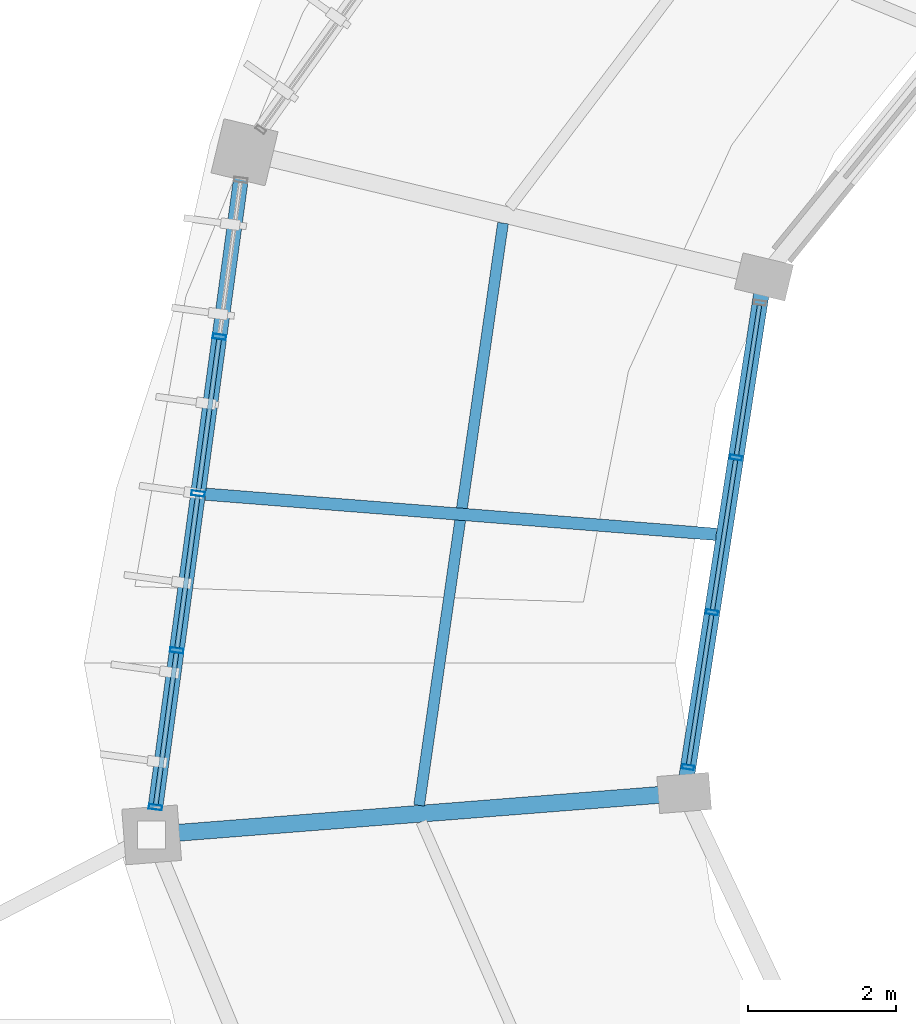
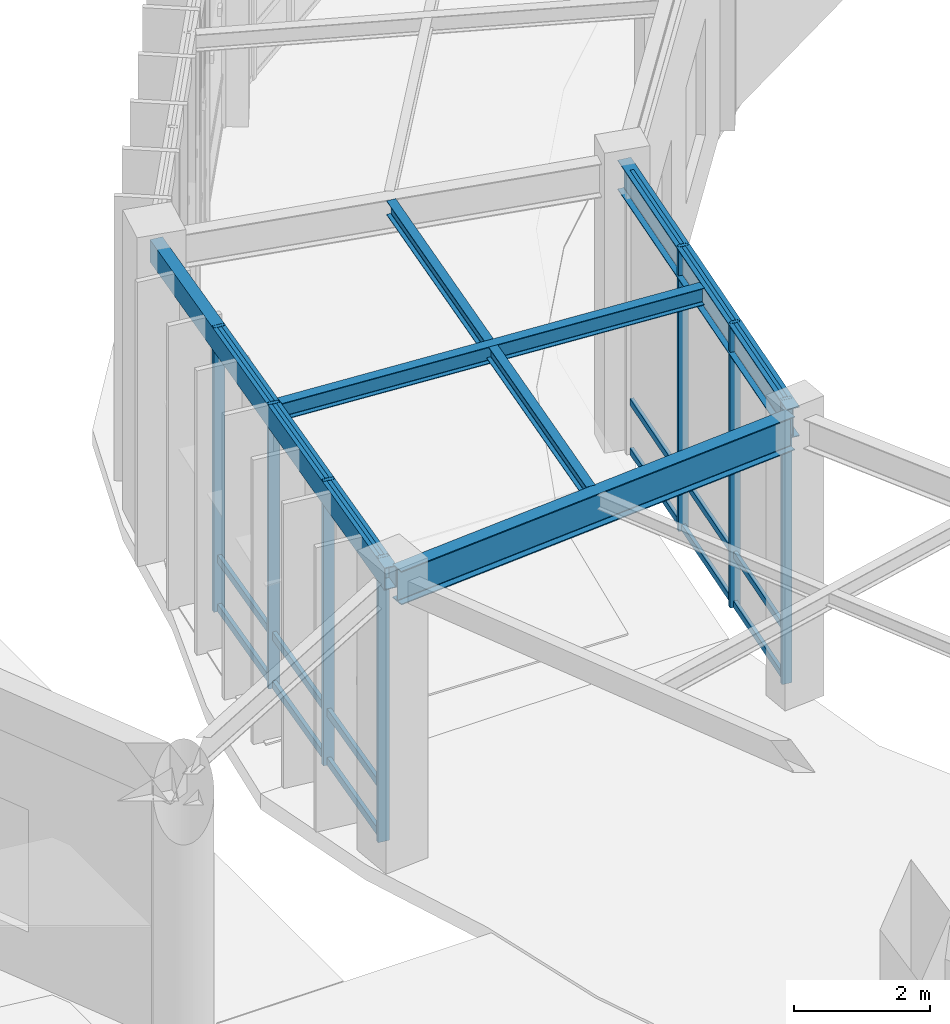
# One storey, part 47 of 157: 25 members, 5 beams, 2 elements without a shape of their own.
"""IFC4 building model written with IfcOpenShell, lengths in metres."""

from ifc_helpers import new_model, si_unit, direction, frame, origin, origin_2d, place, context, subcontext, project, spatial, hollow_rectangle, i_section, extrude, material, material_profile, profile_set, type_object, element, aggregate, save


model = new_model("IFC4")

# Units and contexts
model_context = context("Model", 3, precision=1e-05, world=origin(), true_north=direction((0.0, 1.0)))
body_context = subcontext(model_context, "Body", "Model", "MODEL_VIEW")
ifc_project = project(units=[si_unit("LENGTHUNIT", "METRE"), si_unit("AREAUNIT", "SQUARE_METRE"), si_unit("VOLUMEUNIT", "CUBIC_METRE"), si_unit("PLANEANGLEUNIT", "RADIAN"), si_unit("MASSUNIT", "GRAM", prefix="KILO"), si_unit("THERMODYNAMICTEMPERATUREUNIT", "KELVIN"), si_unit("POWERUNIT", "WATT")], contexts=[model_context])

# Site, building, storey
site_placement = place(None, origin())
site = spatial("IfcSite", under=ifc_project, at=site_placement, CompositionType="ELEMENT")
building_placement = place(site_placement, origin())
building = spatial("IfcBuilding", under=site, at=building_placement, Name="Darbajah Civic Hall", CompositionType="ELEMENT")
storey_placement = place(building_placement, origin())
storey = spatial("IfcBuildingStorey", under=building, at=storey_placement, Name="L00", CompositionType="ELEMENT", Elevation=0.0)

# Curtain wall, members
ifc_material_1 = material(Name="Anodised Bronze Aluminium and Low-E Glazing", Category="aluminium")
curtain_wall_type_1 = type_object("IfcCurtainWallType", Name="Unitised Curtain Wall CW-11 6300x5100", PredefinedType="USERDEFINED", material=ifc_material_1)
curtain_wall_1_placement = place(storey_placement, origin())
curtain_wall_1 = element("IfcCurtainWall", 1, at=curtain_wall_1_placement, inside=storey, type_object=curtain_wall_type_1, Name="L00 unitised curtain wall CW-V1I-L00-09", ObjectType="UNITISED CURTAIN WALL", PredefinedType="USERDEFINED")
ifc_material_2 = material(Name="Anodised Bronze Aluminium", Category="aluminium")
ifc_material_profile_1 = material_profile(ifc_material_2, hollow_rectangle(XDim=0.06005859375, YDim=0.159912109375, WallThickness=0.00341796875, at=origin_2d()), Name="ALU MULLION 60x160")
ifc_profile_set_1 = profile_set([ifc_material_profile_1], Name="Anodised Bronze Aluminium")
member_type_1 = type_object("IfcMemberType", Name="ALU MULLION 60x160", PredefinedType="MULLION", material=ifc_profile_set_1)
member_1_placement = place(storey_placement, frame((46.1337890625, 92.5712890625, 0.0), z_axis=(0.0, 0.0, 1.0), x_axis=(-0.152813355565, -0.98825506746, 0.0)))
member_1 = element("IfcMember", 2, at=member_1_placement, type_object=member_type_1, Name="CW-V1I-L00-09 mullion 2", PredefinedType="MULLION", context=body_context, shape_type="SweptSolid", body=[
    extrude(hollow_rectangle(XDim=0.06005859375, YDim=0.159912109375, WallThickness=0.00341796875, at=origin_2d()), origin(), (0.0, 0.0, 1.0), 5.1201171875),
])
member_2_placement = place(storey_placement, frame((45.811279296875, 90.48486328125, 0.0), z_axis=(0.0, 0.0, 1.0), x_axis=(-0.152813355565, -0.98825506746, 0.0)))
member_2 = element("IfcMember", 3, at=member_2_placement, type_object=member_type_1, Name="CW-V1I-L00-09 mullion 3", PredefinedType="MULLION", context=body_context, shape_type="SweptSolid", body=[
    extrude(hollow_rectangle(XDim=0.06005859375, YDim=0.159912109375, WallThickness=0.00341796875, at=origin_2d()), origin(), (0.0, 0.0, 1.0), 5.1201171875),
])
member_3_placement = place(storey_placement, frame((45.48876953125, 88.398193359375, 0.0), z_axis=(0.0, 0.0, 1.0), x_axis=(-0.152813355565, -0.98825506746, 0.0)))
member_3 = element("IfcMember", 4, at=member_3_placement, type_object=member_type_1, Name="CW-V1I-L00-09 mullion 4", PredefinedType="MULLION", context=body_context, shape_type="SweptSolid", body=[
    extrude(hollow_rectangle(XDim=0.06005859375, YDim=0.159912109375, WallThickness=0.00341796875, at=origin_2d()), origin(), (0.0, 0.0, 1.0), 5.1201171875),
])

curtain_wall_type_2 = type_object("IfcCurtainWallType", Name="Unitised Curtain Wall CW-10 8500x5100", PredefinedType="USERDEFINED", material=ifc_material_1)
curtain_wall_2_placement = place(storey_placement, origin())
curtain_wall_2 = element("IfcCurtainWall", 5, at=curtain_wall_2_placement, inside=storey, type_object=curtain_wall_type_2, Name="L00 unitised curtain wall CW-V1O-L00-09", ObjectType="UNITISED CURTAIN WALL", PredefinedType="USERDEFINED")
ifc_material_profile_2 = material_profile(ifc_material_2, hollow_rectangle(XDim=0.06494140625, YDim=0.179931640625, WallThickness=0.00390625, at=origin_2d()), Name="ALU MULLION 65x180")
ifc_profile_set_2 = profile_set([ifc_material_profile_2], Name="Anodised Bronze Aluminium")
member_type_2 = type_object("IfcMemberType", Name="ALU MULLION 65x180", PredefinedType="MULLION", material=ifc_profile_set_2)
member_4_placement = place(storey_placement, frame((39.170654296875, 94.199462890625, 0.0), z_axis=(0.0, 0.0, 1.0), x_axis=(-0.134850930274, -0.990865897387, 0.0)))
member_4 = element("IfcMember", 6, at=member_4_placement, type_object=member_type_2, Name="CW-V1O-L00-09 mullion 2", PredefinedType="MULLION", context=body_context, shape_type="SweptSolid", body=[
    extrude(hollow_rectangle(XDim=0.06494140625, YDim=0.179931640625, WallThickness=0.00390625, at=origin_2d()), origin(), (0.0, 0.0, 1.0), 5.1201171875),
])
member_5_placement = place(storey_placement, frame((38.88330078125, 92.086181640625, 0.0), z_axis=(0.0, 0.0, 1.0), x_axis=(-0.134850930274, -0.990865897387, 0.0)))
member_5 = element("IfcMember", 7, at=member_5_placement, type_object=member_type_2, Name="CW-V1O-L00-09 mullion 3", PredefinedType="MULLION", context=body_context, shape_type="SweptSolid", body=[
    extrude(hollow_rectangle(XDim=0.06494140625, YDim=0.179931640625, WallThickness=0.00390625, at=origin_2d()), origin(), (0.0, 0.0, 1.0), 5.1201171875),
])
member_6_placement = place(storey_placement, frame((38.595703125, 89.97265625, 0.0), z_axis=(0.0, 0.0, 1.0), x_axis=(-0.134850930274, -0.990865897387, 0.0)))
member_6 = element("IfcMember", 8, at=member_6_placement, type_object=member_type_2, Name="CW-V1O-L00-09 mullion 4", PredefinedType="MULLION", context=body_context, shape_type="SweptSolid", body=[
    extrude(hollow_rectangle(XDim=0.06494140625, YDim=0.179931640625, WallThickness=0.00390625, at=origin_2d()), origin(), (0.0, 0.0, 1.0), 5.1201171875),
])
member_7_placement = place(storey_placement, frame((38.30810546875, 87.859130859375, 0.0), z_axis=(0.0, 0.0, 1.0), x_axis=(-0.134850930274, -0.990865897387, 0.0)))
member_7 = element("IfcMember", 9, at=member_7_placement, type_object=member_type_2, Name="CW-V1O-L00-09 mullion 5", PredefinedType="MULLION", context=body_context, shape_type="SweptSolid", body=[
    extrude(hollow_rectangle(XDim=0.06494140625, YDim=0.179931640625, WallThickness=0.00390625, at=origin_2d()), origin(), (0.0, 0.0, 1.0), 5.1201171875),
])

# Member
ifc_material_profile_3 = material_profile(ifc_material_2, hollow_rectangle(XDim=0.06005859375, YDim=0.1201171875, WallThickness=0.003173828125, at=origin_2d()), Name="ALU TRANSOM 60x120")
ifc_profile_set_3 = profile_set([ifc_material_profile_3], Name="Anodised Bronze Aluminium")
member_type_3 = type_object("IfcMemberType", Name="ALU TRANSOM 60x120", PredefinedType="USERDEFINED", material=ifc_profile_set_3)
member_8_placement = place(storey_placement, frame((46.451171875, 94.623291015625, 0.06005859375), z_axis=(-0.152848012423, -0.988249707867, 0.0), x_axis=(0.988249707867, -0.152848012423, 0.0)))
member_8 = element("IfcMember", 10, at=member_8_placement, type_object=member_type_3, Name="CW-V1I-L00-09 transom 1.1", ObjectType="TRANSOM", PredefinedType="USERDEFINED", context=body_context, shape_type="SweptSolid", body=[
    extrude(hollow_rectangle(XDim=0.06005859375, YDim=0.1201171875, WallThickness=0.003173828125, at=origin_2d()), origin(), (0.0, 0.0, 1.0), 2.041259765625),
])

member_9_placement = place(storey_placement, frame((46.451171875, 94.623291015625, 0.949951171875), z_axis=(-0.152848012423, -0.988249707867, 0.0), x_axis=(0.988249707867, -0.152848012423, 0.0)))
member_9 = element("IfcMember", 11, at=member_9_placement, type_object=member_type_3, Name="CW-V1I-L00-09 transom 1.2", ObjectType="TRANSOM", PredefinedType="USERDEFINED", context=body_context, shape_type="SweptSolid", body=[
    extrude(hollow_rectangle(XDim=0.06005859375, YDim=0.1201171875, WallThickness=0.003173828125, at=origin_2d()), origin(), (0.0, 0.0, 1.0), 2.041259765625),
])

member_10_placement = place(storey_placement, frame((46.451171875, 94.623291015625, 5.06005859375), z_axis=(-0.152848012423, -0.988249707867, 0.0), x_axis=(0.988249707867, -0.152848012423, 0.0)))
member_10 = element("IfcMember", 12, at=member_10_placement, type_object=member_type_3, Name="CW-V1I-L00-09 transom 1.3", ObjectType="TRANSOM", PredefinedType="USERDEFINED", context=body_context, shape_type="SweptSolid", body=[
    extrude(hollow_rectangle(XDim=0.06005859375, YDim=0.1201171875, WallThickness=0.003173828125, at=origin_2d()), origin(), (0.0, 0.0, 1.0), 2.041259765625),
])

member_11_placement = place(storey_placement, frame((46.12841796875, 92.536865234375, 0.06005859375), z_axis=(-0.152713153508, -0.98827055645, 0.0), x_axis=(0.98827055645, -0.152713153508, 0.0)))
member_11 = element("IfcMember", 13, at=member_11_placement, type_object=member_type_3, Name="CW-V1I-L00-09 transom 2.1", ObjectType="TRANSOM", PredefinedType="USERDEFINED", context=body_context, shape_type="SweptSolid", body=[
    extrude(hollow_rectangle(XDim=0.06005859375, YDim=0.1201171875, WallThickness=0.003173828125, at=origin_2d()), origin(), (0.0, 0.0, 1.0), 2.04150390625),
])

member_12_placement = place(storey_placement, frame((46.12841796875, 92.536865234375, 0.949951171875), z_axis=(-0.152713153508, -0.98827055645, 0.0), x_axis=(0.98827055645, -0.152713153508, 0.0)))
member_12 = element("IfcMember", 14, at=member_12_placement, type_object=member_type_3, Name="CW-V1I-L00-09 transom 2.2", ObjectType="TRANSOM", PredefinedType="USERDEFINED", context=body_context, shape_type="SweptSolid", body=[
    extrude(hollow_rectangle(XDim=0.06005859375, YDim=0.1201171875, WallThickness=0.003173828125, at=origin_2d()), origin(), (0.0, 0.0, 1.0), 2.04150390625),
])

member_13_placement = place(storey_placement, frame((46.12841796875, 92.536865234375, 5.06005859375), z_axis=(-0.152713153508, -0.98827055645, 0.0), x_axis=(0.98827055645, -0.152713153508, 0.0)))
member_13 = element("IfcMember", 15, at=member_13_placement, type_object=member_type_3, Name="CW-V1I-L00-09 transom 2.3", ObjectType="TRANSOM", PredefinedType="USERDEFINED", context=body_context, shape_type="SweptSolid", body=[
    extrude(hollow_rectangle(XDim=0.06005859375, YDim=0.1201171875, WallThickness=0.003173828125, at=origin_2d()), origin(), (0.0, 0.0, 1.0), 2.04150390625),
])

member_14_placement = place(storey_placement, frame((45.805908203125, 90.4501953125, 0.06005859375), z_axis=(-0.15273120398, -0.98826776702, 0.0), x_axis=(0.98826776702, -0.15273120398, 0.0)))
member_14 = element("IfcMember", 16, at=member_14_placement, type_object=member_type_3, Name="CW-V1I-L00-09 transom 3.1", ObjectType="TRANSOM", PredefinedType="USERDEFINED", context=body_context, shape_type="SweptSolid", body=[
    extrude(hollow_rectangle(XDim=0.06005859375, YDim=0.1201171875, WallThickness=0.003173828125, at=origin_2d()), origin(), (0.0, 0.0, 1.0), 2.041259765625),
])

member_15_placement = place(storey_placement, frame((45.805908203125, 90.4501953125, 0.949951171875), z_axis=(-0.15273120398, -0.98826776702, 0.0), x_axis=(0.98826776702, -0.15273120398, 0.0)))
member_15 = element("IfcMember", 17, at=member_15_placement, type_object=member_type_3, Name="CW-V1I-L00-09 transom 3.2", ObjectType="TRANSOM", PredefinedType="USERDEFINED", context=body_context, shape_type="SweptSolid", body=[
    extrude(hollow_rectangle(XDim=0.06005859375, YDim=0.1201171875, WallThickness=0.003173828125, at=origin_2d()), origin(), (0.0, 0.0, 1.0), 2.041259765625),
])

member_16_placement = place(storey_placement, frame((45.805908203125, 90.4501953125, 5.06005859375), z_axis=(-0.15273120398, -0.98826776702, 0.0), x_axis=(0.98826776702, -0.15273120398, 0.0)))
member_16 = element("IfcMember", 18, at=member_16_placement, type_object=member_type_3, Name="CW-V1I-L00-09 transom 3.3", ObjectType="TRANSOM", PredefinedType="USERDEFINED", context=body_context, shape_type="SweptSolid", body=[
    extrude(hollow_rectangle(XDim=0.06005859375, YDim=0.1201171875, WallThickness=0.003173828125, at=origin_2d()), origin(), (0.0, 0.0, 1.0), 2.041259765625),
])

aggregate(curtain_wall_1, [member_1, member_2, member_3, member_8, member_9, member_10, member_11, member_12, member_13, member_14, member_15, member_16])

ifc_material_profile_4 = material_profile(ifc_material_2, hollow_rectangle(XDim=0.06494140625, YDim=0.139892578125, WallThickness=0.00341796875, at=origin_2d()), Name="ALU TRANSOM 65x140")
ifc_profile_set_4 = profile_set([ifc_material_profile_4], Name="Anodised Bronze Aluminium")
member_type_4 = type_object("IfcMemberType", Name="ALU TRANSOM 65x140", PredefinedType="USERDEFINED", material=ifc_profile_set_4)
member_17_placement = place(storey_placement, frame((39.165771484375, 94.162353515625, 0.070068359375), z_axis=(-0.134890846246, -0.990860464243, 0.0), x_axis=(0.990860464243, -0.134890846246, 0.0)))
member_17 = element("IfcMember", 19, at=member_17_placement, type_object=member_type_4, Name="CW-V1O-L00-09 transom 2.1", ObjectType="TRANSOM", PredefinedType="USERDEFINED", context=body_context, shape_type="SweptSolid", body=[
    extrude(hollow_rectangle(XDim=0.06494140625, YDim=0.139892578125, WallThickness=0.00341796875, at=origin_2d()), origin(), (0.0, 0.0, 1.0), 2.057861328125),
])

member_18_placement = place(storey_placement, frame((39.165771484375, 94.162353515625, 0.949951171875), z_axis=(-0.134890846246, -0.990860464243, 0.0), x_axis=(0.990860464243, -0.134890846246, 0.0)))
member_18 = element("IfcMember", 20, at=member_18_placement, type_object=member_type_4, Name="CW-V1O-L00-09 transom 2.2", ObjectType="TRANSOM", PredefinedType="USERDEFINED", context=body_context, shape_type="SweptSolid", body=[
    extrude(hollow_rectangle(XDim=0.06494140625, YDim=0.139892578125, WallThickness=0.00341796875, at=origin_2d()), origin(), (0.0, 0.0, 1.0), 2.057861328125),
])

member_19_placement = place(storey_placement, frame((39.165771484375, 94.162353515625, 5.050048828125), z_axis=(-0.134890846246, -0.990860464243, 0.0), x_axis=(0.990860464243, -0.134890846246, 0.0)))
member_19 = element("IfcMember", 21, at=member_19_placement, type_object=member_type_4, Name="CW-V1O-L00-09 transom 2.3", ObjectType="TRANSOM", PredefinedType="USERDEFINED", context=body_context, shape_type="SweptSolid", body=[
    extrude(hollow_rectangle(XDim=0.06494140625, YDim=0.139892578125, WallThickness=0.00341796875, at=origin_2d()), origin(), (0.0, 0.0, 1.0), 2.057861328125),
])

member_20_placement = place(storey_placement, frame((38.878173828125, 92.048828125, 0.070068359375), z_axis=(-0.134890846246, -0.990860464243, 0.0), x_axis=(0.990860464243, -0.134890846246, 0.0)))
member_20 = element("IfcMember", 22, at=member_20_placement, type_object=member_type_4, Name="CW-V1O-L00-09 transom 3.1", ObjectType="TRANSOM", PredefinedType="USERDEFINED", context=body_context, shape_type="SweptSolid", body=[
    extrude(hollow_rectangle(XDim=0.06494140625, YDim=0.139892578125, WallThickness=0.00341796875, at=origin_2d()), origin(), (0.0, 0.0, 1.0), 2.057861328125),
])

member_21_placement = place(storey_placement, frame((38.878173828125, 92.048828125, 0.949951171875), z_axis=(-0.134890846246, -0.990860464243, 0.0), x_axis=(0.990860464243, -0.134890846246, 0.0)))
member_21 = element("IfcMember", 23, at=member_21_placement, type_object=member_type_4, Name="CW-V1O-L00-09 transom 3.2", ObjectType="TRANSOM", PredefinedType="USERDEFINED", context=body_context, shape_type="SweptSolid", body=[
    extrude(hollow_rectangle(XDim=0.06494140625, YDim=0.139892578125, WallThickness=0.00341796875, at=origin_2d()), origin(), (0.0, 0.0, 1.0), 2.057861328125),
])

member_22_placement = place(storey_placement, frame((38.878173828125, 92.048828125, 5.050048828125), z_axis=(-0.134890846246, -0.990860464243, 0.0), x_axis=(0.990860464243, -0.134890846246, 0.0)))
member_22 = element("IfcMember", 24, at=member_22_placement, type_object=member_type_4, Name="CW-V1O-L00-09 transom 3.3", ObjectType="TRANSOM", PredefinedType="USERDEFINED", context=body_context, shape_type="SweptSolid", body=[
    extrude(hollow_rectangle(XDim=0.06494140625, YDim=0.139892578125, WallThickness=0.00341796875, at=origin_2d()), origin(), (0.0, 0.0, 1.0), 2.057861328125),
])

member_23_placement = place(storey_placement, frame((38.590576171875, 89.935302734375, 0.070068359375), z_axis=(-0.134890846246, -0.990860464243, 0.0), x_axis=(0.990860464243, -0.134890846246, 0.0)))
member_23 = element("IfcMember", 25, at=member_23_placement, type_object=member_type_4, Name="CW-V1O-L00-09 transom 4.1", ObjectType="TRANSOM", PredefinedType="USERDEFINED", context=body_context, shape_type="SweptSolid", body=[
    extrude(hollow_rectangle(XDim=0.06494140625, YDim=0.139892578125, WallThickness=0.00341796875, at=origin_2d()), origin(), (0.0, 0.0, 1.0), 2.057861328125),
])

member_24_placement = place(storey_placement, frame((38.590576171875, 89.935302734375, 0.949951171875), z_axis=(-0.134890846246, -0.990860464243, 0.0), x_axis=(0.990860464243, -0.134890846246, 0.0)))
member_24 = element("IfcMember", 26, at=member_24_placement, type_object=member_type_4, Name="CW-V1O-L00-09 transom 4.2", ObjectType="TRANSOM", PredefinedType="USERDEFINED", context=body_context, shape_type="SweptSolid", body=[
    extrude(hollow_rectangle(XDim=0.06494140625, YDim=0.139892578125, WallThickness=0.00341796875, at=origin_2d()), origin(), (0.0, 0.0, 1.0), 2.057861328125),
])

member_25_placement = place(storey_placement, frame((38.590576171875, 89.935302734375, 5.050048828125), z_axis=(-0.134890846246, -0.990860464243, 0.0), x_axis=(0.990860464243, -0.134890846246, 0.0)))
member_25 = element("IfcMember", 27, at=member_25_placement, type_object=member_type_4, Name="CW-V1O-L00-09 transom 4.3", ObjectType="TRANSOM", PredefinedType="USERDEFINED", context=body_context, shape_type="SweptSolid", body=[
    extrude(hollow_rectangle(XDim=0.06494140625, YDim=0.139892578125, WallThickness=0.00341796875, at=origin_2d()), origin(), (0.0, 0.0, 1.0), 2.057861328125),
])

aggregate(curtain_wall_2, [member_4, member_5, member_6, member_7, member_17, member_18, member_19, member_20, member_21, member_22, member_23, member_24, member_25])

# Beams
ifc_material_3 = material(Name="Steel S355JR", Category="steel")
ifc_material_profile_5 = material_profile(ifc_material_3, hollow_rectangle(XDim=0.199951171875, YDim=0.39990234375, WallThickness=0.013916015625, at=origin_2d()), Name="RHS 400x200x14")
ifc_profile_set_5 = profile_set([ifc_material_profile_5], Name="Steel S355JR")
beam_type_1 = type_object("IfcBeamType", Name="RHS 400x200x14", PredefinedType="SPANDREL", material=ifc_profile_set_5)
beam_1_placement = place(storey_placement, frame((39.498291015625, 96.607421875, 4.919921875), z_axis=(-0.134804002093, -0.9908722829, 0.0), x_axis=(0.9908722829, -0.134804002093, 0.0)))
element("IfcBeam", 28, at=beam_1_placement, inside=storey, type_object=beam_type_1, Name="L00 beam SP-RHS400", PredefinedType="SPANDREL", context=body_context, shape_type="SweptSolid", body=[
    extrude(hollow_rectangle(XDim=0.199951171875, YDim=0.39990234375, WallThickness=0.013916015625, at=origin_2d()), origin(), (0.0, 0.0, 1.0), 9.1259765625),
])
ifc_material_profile_6 = material_profile(ifc_material_3, i_section(OverallWidth=0.146484375, OverallDepth=0.256103515625, WebThickness=0.00634765625, FlangeThickness=0.010986328125, FilletRadius=0.007568359375, at=origin_2d()), Name="UB 254x146x37")
ifc_profile_set_6 = profile_set([ifc_material_profile_6], Name="Steel S355JR")
beam_type_2 = type_object("IfcBeamType", Name="UB 254x146x37", PredefinedType="JOIST", material=ifc_profile_set_6)
beam_2_placement = place(storey_placement, frame((42.9931640625, 95.7314453125, 4.991943359375), z_axis=(-0.142580747671, -0.989783173424, 0.0), x_axis=(0.989783173424, -0.142580747671, 0.0)))
element("IfcBeam", 29, at=beam_2_placement, inside=storey, type_object=beam_type_2, Name="L00 beam SJ-254", PredefinedType="JOIST", context=body_context, shape_type="SweptSolid", body=[
    extrude(i_section(OverallWidth=0.146484375, OverallDepth=0.256103515625, WebThickness=0.00634765625, FlangeThickness=0.010986328125, FilletRadius=0.007568359375, at=origin_2d()), origin(), (0.0, 0.0, 1.0), 7.9296875),
])
ifc_material_profile_7 = material_profile(ifc_material_3, i_section(OverallWidth=0.165771484375, OverallDepth=0.306640625, WebThickness=0.006591796875, FlangeThickness=0.01171875, FilletRadius=0.0087890625, at=origin_2d()), Name="UB 305x165x46")
ifc_profile_set_7 = profile_set([ifc_material_profile_7], Name="Steel S355JR")
beam_type_3 = type_object("IfcBeamType", Name="UB 305x165x46", PredefinedType="JOIST", material=ifc_profile_set_7)
beam_3_placement = place(storey_placement, frame((45.866943359375, 91.536376953125, 4.966796875), z_axis=(-0.996918778661, 0.078440734012, 0.0), x_axis=(-0.078440734012, -0.996918778661, 0.0)))
element("IfcBeam", 30, at=beam_3_placement, inside=storey, type_object=beam_type_3, Name="L00 beam SJ-305", PredefinedType="JOIST", context=body_context, shape_type="SweptSolid", body=[
    extrude(i_section(OverallWidth=0.165771484375, OverallDepth=0.306640625, WebThickness=0.006591796875, FlangeThickness=0.01171875, FilletRadius=0.0087890625, at=origin_2d()), origin(), (0.0, 0.0, 1.0), 6.9033203125),
])
ifc_material_profile_8 = material_profile(ifc_material_3, i_section(OverallWidth=0.209228515625, OverallDepth=0.533203125, WebThickness=0.010009765625, FlangeThickness=0.015625, FilletRadius=0.0126953125, at=origin_2d()), Name="UB 533x210x92")
ifc_profile_set_8 = profile_set([ifc_material_profile_8], Name="Steel S355JR")
beam_type_4 = type_object("IfcBeamType", Name="UB 533x210x92", PredefinedType="BEAM", material=ifc_profile_set_8)
beam_4_placement = place(storey_placement, frame((46.498046875, 94.9267578125, 4.853515625), z_axis=(-0.152771975645, -0.988261465128, 0.0), x_axis=(0.988261465128, -0.152771975645, 0.0)))
element("IfcBeam", 31, at=beam_4_placement, inside=storey, type_object=beam_type_4, Name="L00 beam SB-533", PredefinedType="BEAM", context=body_context, shape_type="SweptSolid", body=[
    extrude(i_section(OverallWidth=0.209228515625, OverallDepth=0.533203125, WebThickness=0.010009765625, FlangeThickness=0.015625, FilletRadius=0.0126953125, at=origin_2d()), origin(), (0.0, 0.0, 1.0), 6.878173828125),
])
ifc_material_profile_9 = material_profile(ifc_material_3, i_section(OverallWidth=0.228271484375, OverallDepth=0.607666015625, WebThickness=0.010986328125, FlangeThickness=0.017333984375, FilletRadius=0.0126953125, at=origin_2d()), Name="UB 610x229x113")
ifc_profile_set_9 = profile_set([ifc_material_profile_9], Name="Steel S355JR")
beam_type_5 = type_object("IfcBeamType", Name="UB 610x229x113", PredefinedType="BEAM", material=ifc_profile_set_9)
beam_5_placement = place(storey_placement, frame((45.355224609375, 88.044189453125, 4.816162109375), z_axis=(-0.996915809033, -0.078478466478, 0.0), x_axis=(0.078478466478, -0.996915809033, 0.0)))
element("IfcBeam", 32, at=beam_5_placement, inside=storey, type_object=beam_type_5, Name="L00 beam SB-610", PredefinedType="BEAM", context=body_context, shape_type="SweptSolid", body=[
    extrude(i_section(OverallWidth=0.228271484375, OverallDepth=0.607666015625, WebThickness=0.010986328125, FlangeThickness=0.017333984375, FilletRadius=0.0126953125, at=origin_2d()), origin(), (0.0, 0.0, 1.0), 7.0400390625),
])

save(model, "model.ifc")
